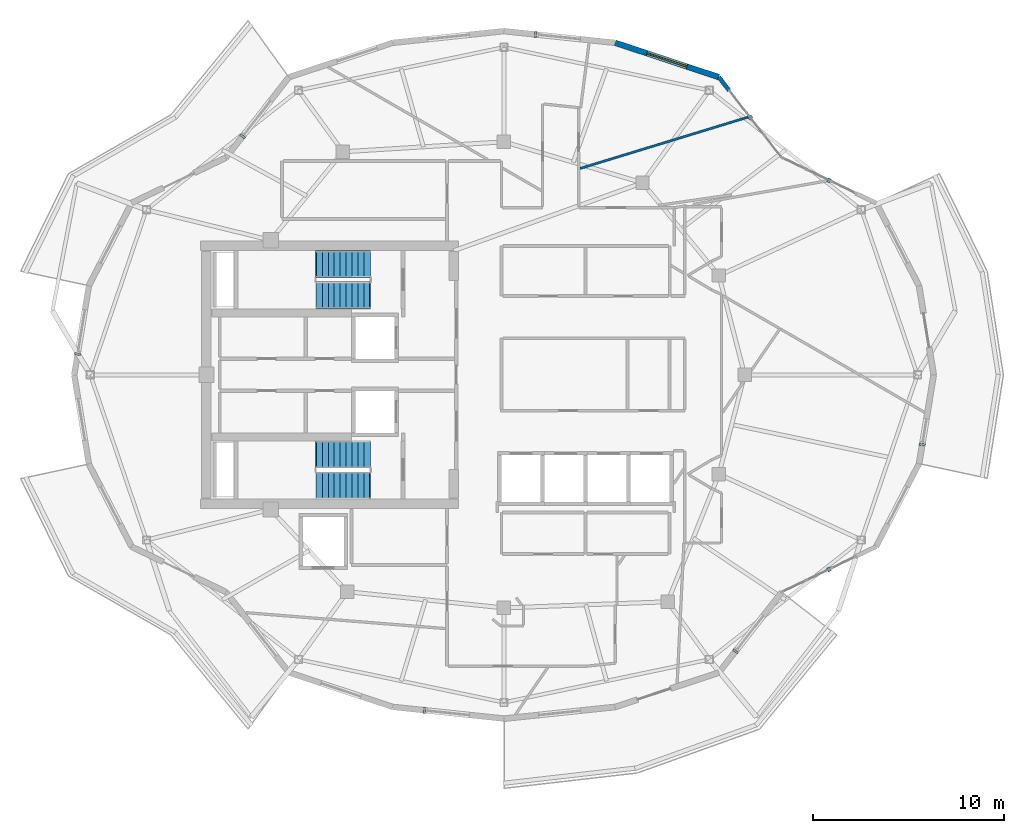
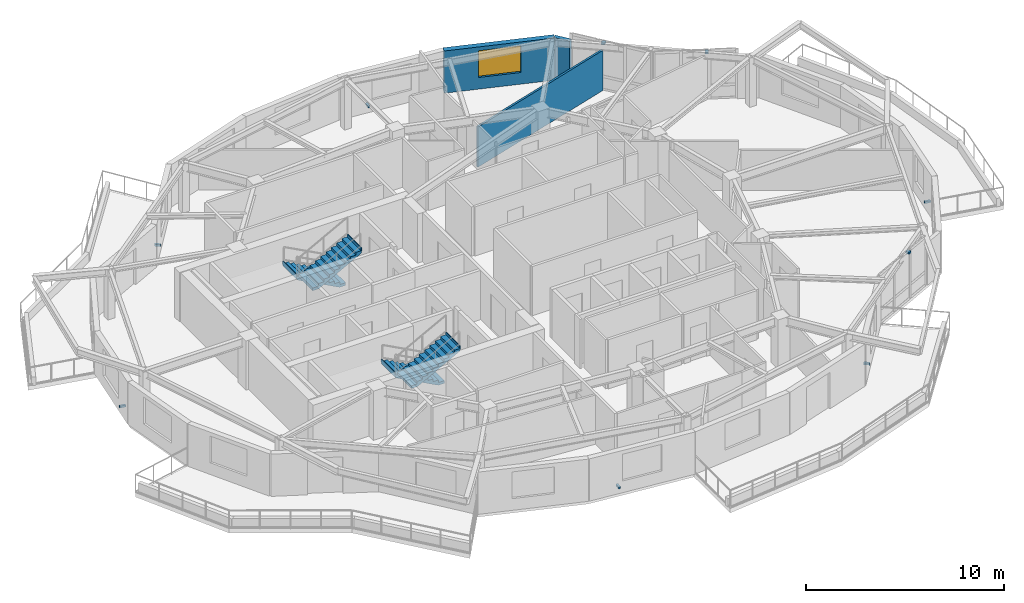
# One storey, part 11 of 14: 9 discrete accessories, 4 stair flights, 3 walls, 1 window, 1 opening, 2 elements without a shape of their own.
"""IFC4 building model written with IfcOpenShell, lengths in metres."""

from ifc_helpers import new_model, si_unit, direction, frame, frame_2d, origin, origin_2d, place, context, subcontext, project, spatial, polyline, rectangle, outline, extrude, material, layer, layer_set, type_object, element, fill, aggregate, save


model = new_model("IFC4")

# Units and contexts
model_context = context("Model", 3, precision=1e-05, world=origin(), true_north=direction((0.0, 1.0)))
body_context = subcontext(model_context, "Body", "Model", "MODEL_VIEW")
ifc_project = project(units=[si_unit("LENGTHUNIT", "METRE"), si_unit("AREAUNIT", "SQUARE_METRE"), si_unit("VOLUMEUNIT", "CUBIC_METRE"), si_unit("PLANEANGLEUNIT", "RADIAN"), si_unit("MASSUNIT", "GRAM", prefix="KILO")], contexts=[model_context])

# Site, building, storey
site_placement = place(None, origin())
site = spatial("IfcSite", under=ifc_project, at=site_placement, CompositionType="ELEMENT")
building_placement = place(site_placement, origin())
building = spatial("IfcBuilding", under=site, at=building_placement, Name="Kolvaren Gate Tower and Convention Centre", CompositionType="ELEMENT")
storey_placement = place(building_placement, frame((0.0, 0.0, 239.300048828125)))
storey = spatial("IfcBuildingStorey", under=building, at=storey_placement, Name="L64", CompositionType="ELEMENT", Elevation=239.300048828125)

# Walls
ifc_material_1 = material(Name="Fire-Rated Acoustic Gypsum Stud Partition", Category="gypsum")
ifc_layer_1 = layer(ifc_material_1, 0.1201171875)
ifc_layer_set_1 = layer_set([ifc_layer_1], Name="Fire-Rated Acoustic Gypsum Stud Partition")
wall_type_1 = type_object("IfcWallType", Name="ARCH-WL-PART-120", PredefinedType="PARTITIONING", material=ifc_layer_set_1)
wall_1_placement = place(storey_placement, frame((34.112060546875, 37.803955078125, 0.0), z_axis=(0.0, 0.0, 1.0), x_axis=(0.956322106616, 0.292314947271, 0.0)))
element("IfcWall", 1, at=wall_1_placement, inside=storey, type_object=wall_type_1, Name="Interior Partition WL-L64-INT-077", PredefinedType="PARTITIONING", context=body_context, shape_type="SweptSolid", body=[
    extrude(rectangle(XDim=9.263916015625, YDim=0.1201171875, at=frame_2d((4.6318359375, 0.0))), origin(), (0.0, 0.0, 1.0), 2.47802734375),
])
ifc_material_2 = material(Name="Bogota Sabana Bush-Hammered Sandstone Cladding", Category="masonry")
ifc_layer_2 = layer(ifc_material_2, 0.219970703125)
ifc_layer_set_2 = layer_set([ifc_layer_2], Name="Bogota Sabana Bush-Hammered Sandstone Cladding")
wall_type_2 = type_object("IfcWallType", Name="ARCH-WL-PIER-220", PredefinedType="SOLIDWALL", material=ifc_layer_set_2)
wall_2_placement = place(storey_placement, frame((41.375, 42.58837890625, 0.0), z_axis=(0.0, 0.0, 1.0), x_axis=(0.61650363284, -0.787352062736, 0.0)))
element("IfcWall", 2, at=wall_2_placement, inside=storey, type_object=wall_type_2, Name="Tower L64 Unitised Curtain Wall CW-RES-UNIT Bay 03 Left Column Pier Wrap", PredefinedType="SOLIDWALL", context=body_context, shape_type="SweptSolid", body=[
    extrude(rectangle(XDim=0.8759765625, YDim=0.219970703125, at=frame_2d((0.43798828125, 0.0))), origin(), (0.0, 0.0, 1.0), 2.60498046875),
])

# Wall, opening, window
ifc_material_3 = material(Name="Piedmont Cream Honed Limestone Cladding", Category="masonry")
ifc_layer_3 = layer(ifc_material_3, 0.300048828125)
ifc_layer_set_3 = layer_set([ifc_layer_3], Name="Piedmont Cream Honed Limestone Cladding")
wall_type_3 = type_object("IfcWallType", Name="ARCH-WL-STONE-300", PredefinedType="SOLIDWALL", material=ifc_layer_set_3)
wall_3_placement = place(storey_placement, frame((35.948486328125, 44.38671875, 0.0), z_axis=(0.0, 0.0, 1.0), x_axis=(0.949232769585, -0.314574552605, 0.0)))
wall_3 = element("IfcWall", 3, at=wall_3_placement, inside=storey, type_object=wall_type_3, Name="Tower L64 Honed Stone Spandrel Wall EW-04", PredefinedType="SOLIDWALL", context=body_context, shape_type="SweptSolid", body=[
    extrude(rectangle(XDim=5.716796875, YDim=0.300048828125, at=frame_2d((2.8583984375, 0.0))), origin(), (0.0, 0.0, 1.0), 2.60498046875),
])
opening_placement = place(wall_3_placement, frame((1.758056640625, 0.0, 0.719970703125)))
opening = element("IfcOpeningElement", 4, at=opening_placement, cuts=wall_3, Name="Opening W-03", PredefinedType="OPENING", context=body_context, shape_type="SweptSolid", body=[
    extrude(rectangle(XDim=2.199951171875, YDim=1.64990234375, at=frame_2d((1.10009765625, 0.824951171875))), frame((0.0, 0.159912109375, 0.0), z_axis=(0.0, -1.0, 0.0), x_axis=(1.0, 0.0, 0.0)), (0.0, 0.0, 1.0), 0.320068359375),
])
ifc_material_4 = material(Name="Low-E Triple Insulated Glazing Unit 44 mm", Category="glass")
window_type = type_object("IfcWindowType", Name="ARCH-WN-RES-2200", PartitioningType="SINGLE_PANEL", PredefinedType="WINDOW", material=ifc_material_4)
window_placement = place(opening_placement, origin())
window = element("IfcWindow", 5, at=window_placement, inside=storey, type_object=window_type, Name="Tower L64 Punched Stone Facade Window W-04", OverallHeight=1.64990234375, OverallWidth=2.199951171875, PartitioningType="SINGLE_PANEL", PredefinedType="WINDOW", context=body_context, shape_type="SweptSolid", body=[
    extrude(rectangle(XDim=2.199951171875, YDim=1.64990234375, at=frame_2d((1.10009765625, 0.824951171875))), frame((0.0, 0.030029296875, 0.0), z_axis=(0.0, -1.0, 0.0), x_axis=(1.0, 0.0, 0.0)), (0.0, 0.0, 1.0), 0.06005859375),
])
fill(opening, window)

# Stair, stair flights
ifc_material_5 = material(Name="Concrete C50/60", Category="concrete")
stair_type = type_object("IfcStairType", Name="STR-STAIR-CORE", PredefinedType="HALF_TURN_STAIR", material=ifc_material_5)
stair_1_placement = place(storey_placement, origin())
stair_1 = element("IfcStair", 6, at=stair_1_placement, inside=storey, type_object=stair_type, Name="L64 Tower North Exit Stair ST-T1", PredefinedType="HALF_TURN_STAIR")
stair_flight_type = type_object("IfcStairFlightType", Name="STR-SFL-1420", PredefinedType="STRAIGHT", material=ifc_material_5)
stair_flight_1_placement = place(storey_placement, frame((23.10009765625, 32.7900390625, 0.0), z_axis=(0.0, 0.0, 1.0), x_axis=(-1.0, 0.0, 0.0)))
stair_flight_1 = element("IfcStairFlight", 7, at=stair_flight_1_placement, type_object=stair_flight_type, Name="ST-T1 flight 1", NumberOfRisers=10, NumberOfTreads=9, PredefinedType="STRAIGHT", RiserHeight=0.165, TreadLength=0.31, context=body_context, shape_type="SweptSolid", body=[
    extrude(outline(polyline([(-0.034912109375, 0.0), (-0.034912109375, 0.1650390625), (0.31005859375, 0.1650390625), (0.31005859375, 0.330078125), (0.6201171875, 0.330078125), (0.6201171875, 0.4951171875), (0.929931640625, 0.4951171875), (0.929931640625, 0.659912109375), (1.239990234375, 0.659912109375), (1.239990234375, 0.824951171875), (1.550048828125, 0.824951171875), (1.550048828125, 0.989990234375), (1.860107421875, 0.989990234375), (1.860107421875, 1.155029296875), (2.169921875, 1.155029296875), (2.169921875, 1.320068359375), (2.47998046875, 1.320068359375), (2.47998046875, 1.485107421875), (2.7900390625, 1.485107421875), (2.7900390625, 1.64990234375), (2.8349609375, 1.64990234375), (2.8349609375, 1.489990234375), (2.7900390625, 1.315185546875), (0.319091796875, 0.0), (-0.034912109375, 0.0)])), frame((0.0, 0.7099609375, 0.0), z_axis=(0.0, -1.0, 0.0), x_axis=(1.0, 0.0, 0.0)), (0.0, 0.0, 1.0), 1.419921875),
])
stair_flight_2_placement = place(storey_placement, frame((20.31005859375, 31.169921875, 1.64990234375), z_axis=(0.0, 0.0, 1.0), x_axis=(1.0, 0.0, 0.0)))
stair_flight_2 = element("IfcStairFlight", 8, at=stair_flight_2_placement, type_object=stair_flight_type, Name="ST-T1 flight 2", NumberOfRisers=10, NumberOfTreads=9, PredefinedType="STRAIGHT", RiserHeight=0.165, TreadLength=0.31, context=body_context, shape_type="SweptSolid", body=[
    extrude(outline(polyline([(-0.034912109375, 0.0), (-0.034912109375, 0.1650390625), (0.31005859375, 0.1650390625), (0.31005859375, 0.330078125), (0.6201171875, 0.330078125), (0.6201171875, 0.4951171875), (0.929931640625, 0.4951171875), (0.929931640625, 0.659912109375), (1.239990234375, 0.659912109375), (1.239990234375, 0.824951171875), (1.550048828125, 0.824951171875), (1.550048828125, 0.989990234375), (1.860107421875, 0.989990234375), (1.860107421875, 1.155029296875), (2.169921875, 1.155029296875), (2.169921875, 1.320068359375), (2.47998046875, 1.320068359375), (2.47998046875, 1.485107421875), (2.7900390625, 1.485107421875), (2.7900390625, 1.64990234375), (2.8349609375, 1.64990234375), (2.8349609375, 1.489990234375), (2.7900390625, 1.315185546875), (0.319091796875, 0.0), (-0.034912109375, 0.0)])), frame((0.0, 0.7099609375, 0.0), z_axis=(0.0, -1.0, 0.0), x_axis=(1.0, 0.0, 0.0)), (0.0, 0.0, 1.0), 1.419921875),
])
aggregate(stair_1, [stair_flight_1, stair_flight_2])

stair_2_placement = place(storey_placement, origin())
stair_2 = element("IfcStair", 9, at=stair_2_placement, inside=storey, type_object=stair_type, Name="L64 Tower South Exit Stair ST-T2", PredefinedType="HALF_TURN_STAIR")
stair_flight_3_placement = place(storey_placement, frame((23.10009765625, 22.830078125, 0.0), z_axis=(0.0, 0.0, 1.0), x_axis=(-1.0, 0.0, 0.0)))
stair_flight_3 = element("IfcStairFlight", 10, at=stair_flight_3_placement, type_object=stair_flight_type, Name="ST-T2 flight 1", NumberOfRisers=10, NumberOfTreads=9, PredefinedType="STRAIGHT", RiserHeight=0.165, TreadLength=0.31, context=body_context, shape_type="SweptSolid", body=[
    extrude(outline(polyline([(-0.034912109375, 0.0), (-0.034912109375, 0.1650390625), (0.31005859375, 0.1650390625), (0.31005859375, 0.330078125), (0.6201171875, 0.330078125), (0.6201171875, 0.4951171875), (0.929931640625, 0.4951171875), (0.929931640625, 0.659912109375), (1.239990234375, 0.659912109375), (1.239990234375, 0.824951171875), (1.550048828125, 0.824951171875), (1.550048828125, 0.989990234375), (1.860107421875, 0.989990234375), (1.860107421875, 1.155029296875), (2.169921875, 1.155029296875), (2.169921875, 1.320068359375), (2.47998046875, 1.320068359375), (2.47998046875, 1.485107421875), (2.7900390625, 1.485107421875), (2.7900390625, 1.64990234375), (2.8349609375, 1.64990234375), (2.8349609375, 1.489990234375), (2.7900390625, 1.315185546875), (0.319091796875, 0.0), (-0.034912109375, 0.0)])), frame((0.0, 0.7099609375, 0.0), z_axis=(0.0, -1.0, 0.0), x_axis=(1.0, 0.0, 0.0)), (0.0, 0.0, 1.0), 1.419921875),
])
stair_flight_4_placement = place(storey_placement, frame((20.31005859375, 21.2099609375, 1.64990234375), z_axis=(0.0, 0.0, 1.0), x_axis=(1.0, 0.0, 0.0)))
stair_flight_4 = element("IfcStairFlight", 11, at=stair_flight_4_placement, type_object=stair_flight_type, Name="ST-T2 flight 2", NumberOfRisers=10, NumberOfTreads=9, PredefinedType="STRAIGHT", RiserHeight=0.165, TreadLength=0.31, context=body_context, shape_type="SweptSolid", body=[
    extrude(outline(polyline([(-0.034912109375, 0.0), (-0.034912109375, 0.1650390625), (0.31005859375, 0.1650390625), (0.31005859375, 0.330078125), (0.6201171875, 0.330078125), (0.6201171875, 0.4951171875), (0.929931640625, 0.4951171875), (0.929931640625, 0.659912109375), (1.239990234375, 0.659912109375), (1.239990234375, 0.824951171875), (1.550048828125, 0.824951171875), (1.550048828125, 0.989990234375), (1.860107421875, 0.989990234375), (1.860107421875, 1.155029296875), (2.169921875, 1.155029296875), (2.169921875, 1.320068359375), (2.47998046875, 1.320068359375), (2.47998046875, 1.485107421875), (2.7900390625, 1.485107421875), (2.7900390625, 1.64990234375), (2.8349609375, 1.64990234375), (2.8349609375, 1.489990234375), (2.7900390625, 1.315185546875), (0.319091796875, 0.0), (-0.034912109375, 0.0)])), frame((0.0, 0.7099609375, 0.0), z_axis=(0.0, -1.0, 0.0), x_axis=(1.0, 0.0, 0.0)), (0.0, 0.0, 1.0), 1.419921875),
])
aggregate(stair_2, [stair_flight_3, stair_flight_4])

# Discrete accessories
ifc_material_6 = material(Name="Anodized Architectural Aluminium Alloy 6063-T6", Category="aluminium")
discrete_accessory_type = type_object("IfcDiscreteAccessoryType", Name="ARCH-ACC-BRACKET-120", PredefinedType="BRACKET", material=ifc_material_6)
for number, where, z_axis, x_axis, name in (
    (12, (47.14404296875, 37.185302734375, 2.849853515625), (0.0, 0.0, 1.0), (0.901357634097, -0.433075530889, 0.0), "Solar Screen Spandrel Anchor Bracket BK-L64-02"),
    (13, (43.026123046875, 40.4794921875, 2.849853515625), (0.0, 0.0, 1.0), (0.616435493395, -0.787405411769, 0.0), "Solar Screen Spandrel Anchor Bracket BK-L64-03"),
):
    element("IfcDiscreteAccessory", number, at=place(storey_placement, frame(where, z_axis=z_axis, x_axis=x_axis)), inside=storey, type_object=discrete_accessory_type, Name=name, PredefinedType="BRACKET", context=body_context, shape_type="SweptSolid", body=[
        extrude(rectangle(XDim=0.179931640625, YDim=0.219970703125, at=origin_2d()), origin(), (0.0, 0.0, 1.0), 0.1201171875),
    ])
for number, where, z_axis, x_axis, name in (
    (14, (31.78369140625, 44.8251953125, 0.289794921875), (0.0, 0.0, 1.0), (0.994499981166, -0.104736753152, 0.0), "Ceramic Fin Wall Anchor Bracket FBK-L64-05"),
    (15, (16.447509765625, 39.487548828125, 0.289794921875), (0.0, 0.0, 1.0), (0.616435493395, 0.787405411769, 0.0), "Ceramic Fin Wall Anchor Bracket FBK-L64-08"),
    (16, (7.8037109375, 28.08642578125, 0.289794921875), (0.0, 0.0, 1.0), (0.162389178836, 0.986726788223, 0.0), "Ceramic Fin Wall Anchor Bracket FBK-L64-11"),
    (17, (25.96044921875, 9.438720703125, 0.289794921875), (0.0, 0.0, 1.0), (0.994499981166, -0.104736753152, 0.0), "Ceramic Fin Wall Anchor Bracket FBK-L64-17"),
    (18, (42.249755859375, 12.52880859375, 0.289794921875), (0.0, 0.0, 1.0), (0.616435493395, 0.787405411769, 0.0), "Ceramic Fin Wall Anchor Bracket FBK-L64-20"),
):
    element("IfcDiscreteAccessory", number, at=place(storey_placement, frame(where, z_axis=z_axis, x_axis=x_axis)), inside=storey, type_object=discrete_accessory_type, Name=name, PredefinedType="BRACKET", context=body_context, shape_type="SweptSolid", body=[
        extrude(rectangle(XDim=0.1201171875, YDim=0.320068359375, at=origin_2d()), origin(), (0.0, 0.0, 1.0), 0.1201171875),
    ])
discrete_accessory_1_placement = place(storey_placement, frame((47.14404296875, 16.814697265625, 2.849853515625), z_axis=(0.0, 0.0, 1.0), x_axis=(0.901357634097, 0.433075530889, 0.0)))
element("IfcDiscreteAccessory", 19, at=discrete_accessory_1_placement, inside=storey, type_object=discrete_accessory_type, Name="Solar Screen Spandrel Anchor Bracket BK-L64-21", PredefinedType="BRACKET", context=body_context, shape_type="SweptSolid", body=[
    extrude(rectangle(XDim=0.179931640625, YDim=0.219970703125, at=origin_2d()), origin(), (0.0, 0.0, 1.0), 0.1201171875),
])
discrete_accessory_2_placement = place(storey_placement, frame((52.02392578125, 23.347900390625, 0.289794921875), z_axis=(0.0, 0.0, 1.0), x_axis=(0.162389178836, 0.986726788223, 0.0)))
element("IfcDiscreteAccessory", 20, at=discrete_accessory_2_placement, inside=storey, type_object=discrete_accessory_type, Name="Ceramic Fin Wall Anchor Bracket FBK-L64-23", PredefinedType="BRACKET", context=body_context, shape_type="SweptSolid", body=[
    extrude(rectangle(XDim=0.1201171875, YDim=0.320068359375, at=origin_2d()), origin(), (0.0, 0.0, 1.0), 0.1201171875),
])

save(model, "model.ifc")
